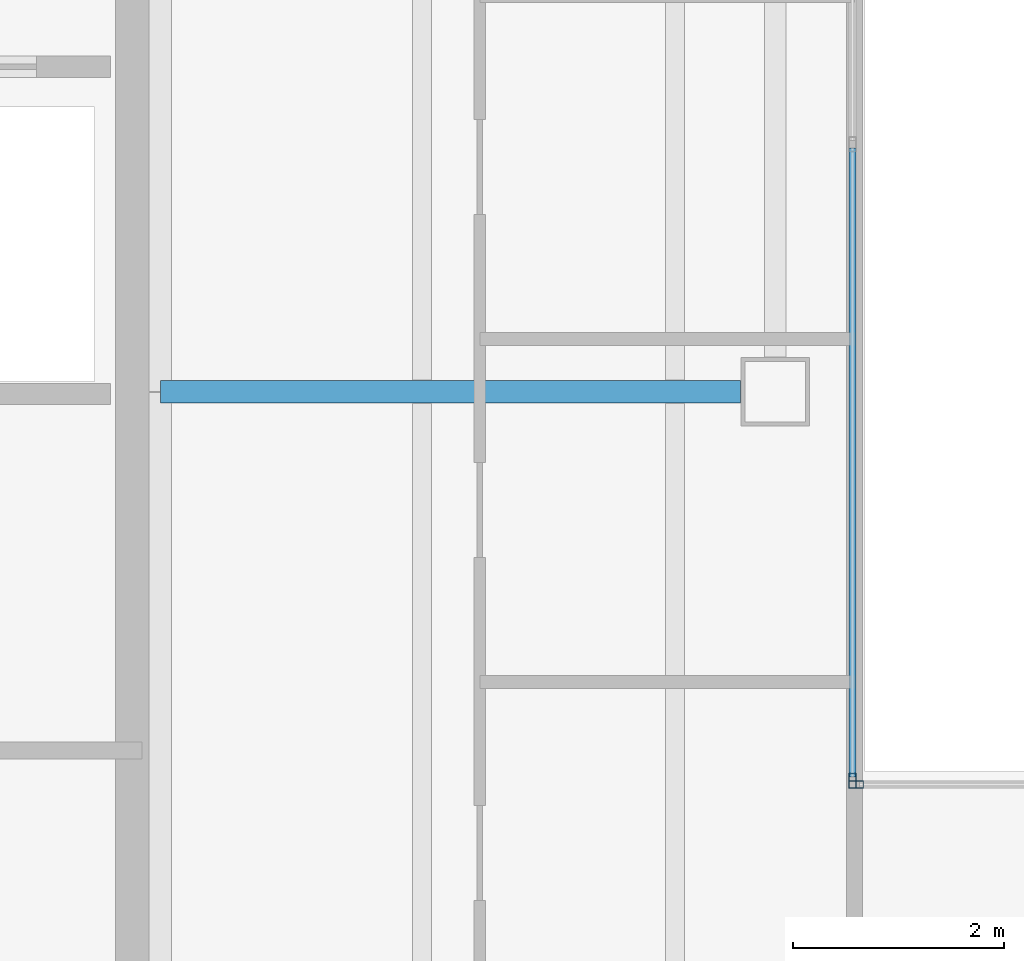
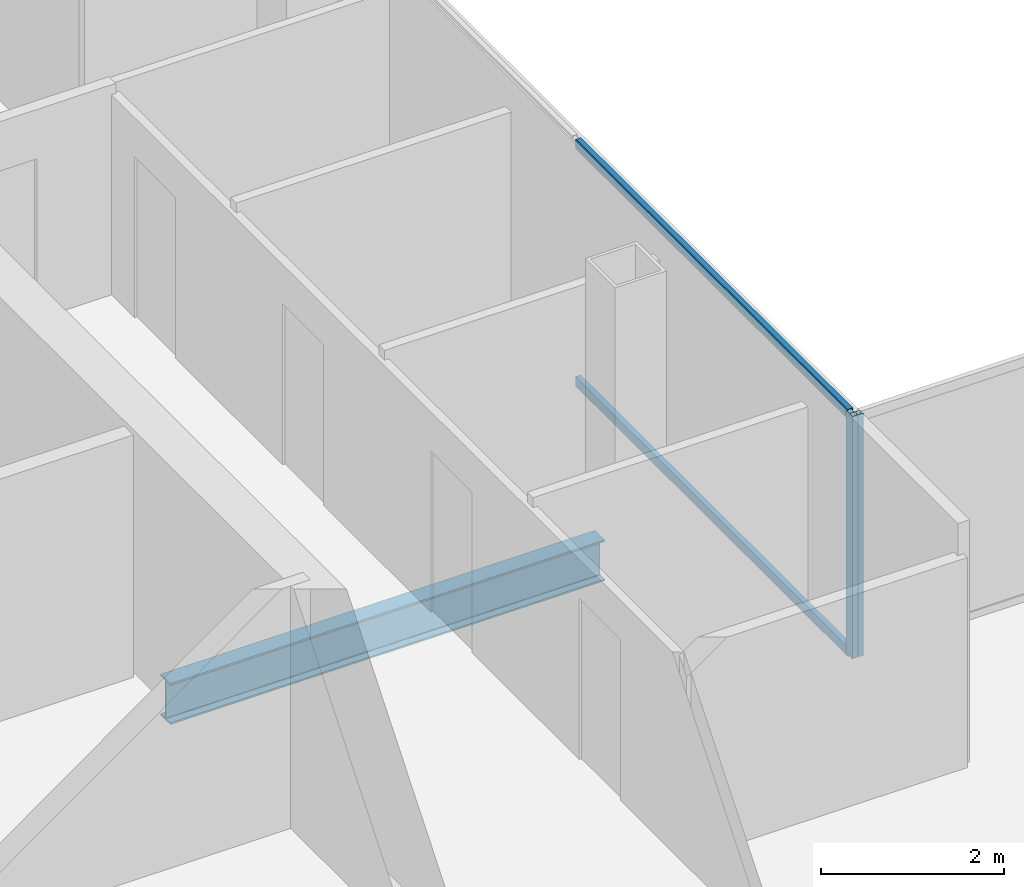
# One storey, part 8 of 23: 4 members, 1 beam, 2 elements without a shape of their own.
"""IFC4 building model written with IfcOpenShell, lengths in metres."""

from ifc_helpers import new_model, si_unit, direction, frame, origin, origin_2d, place, context, subcontext, project, spatial, hollow_rectangle, i_section, extrude, material, material_profile, profile_set, type_object, element, aggregate, save


model = new_model("IFC4")

# Units and contexts
model_context = context("Model", 3, precision=1e-05, world=origin(), true_north=direction((0.0, 1.0)))
body_context = subcontext(model_context, "Body", "Model", "MODEL_VIEW")
ifc_project = project(units=[si_unit("LENGTHUNIT", "METRE"), si_unit("AREAUNIT", "SQUARE_METRE"), si_unit("VOLUMEUNIT", "CUBIC_METRE"), si_unit("PLANEANGLEUNIT", "RADIAN"), si_unit("MASSUNIT", "GRAM", prefix="KILO")], contexts=[model_context])

# Site, building, storey
site_placement = place(None, origin())
site = spatial("IfcSite", under=ifc_project, at=site_placement, CompositionType="ELEMENT")
building_placement = place(site_placement, origin())
building = spatial("IfcBuilding", under=site, at=building_placement, Name="Cobrela Telecom Tower", CompositionType="ELEMENT")
storey_placement = place(building_placement, frame((0.0, 0.0, 279.64990234375)))
storey = spatial("IfcBuildingStorey", under=building, at=storey_placement, Name="L73", CompositionType="ELEMENT", Elevation=279.64990234375)

# Beam
ifc_material_1 = material(Name="Steel ASTM A992 Grade 50", Category="steel")
ifc_material_profile_1 = material_profile(ifc_material_1, i_section(OverallWidth=0.212890625, OverallDepth=0.549072265625, WebThickness=0.0146484375, FlangeThickness=0.023681640625, FilletRadius=0.013916015625, at=origin_2d()), Name="W21X93")
ifc_profile_set_1 = profile_set([ifc_material_profile_1], Name="Steel ASTM A992 Grade 50")
beam_type = type_object("IfcBeamType", Name="BM-GIRD-08", PredefinedType="USERDEFINED", material=ifc_profile_set_1)
beam_placement = place(storey_placement, frame((14.324951171875, 28.800048828125, -0.534423828125), z_axis=(1.0, 0.0, 0.0), x_axis=(0.0, 1.0, 0.0)))
element("IfcBeam", 1, at=beam_placement, inside=storey, type_object=beam_type, Name="L73 Primary Girder X15", ObjectType="GIRDER", PredefinedType="USERDEFINED", context=body_context, shape_type="SweptSolid", body=[
    extrude(i_section(OverallWidth=0.212890625, OverallDepth=0.549072265625, WebThickness=0.0146484375, FlangeThickness=0.023681640625, FilletRadius=0.013916015625, at=origin_2d()), origin(), (0.0, 0.0, 1.0), 5.4951171875),
])

# Curtain wall, member
ifc_material_2 = material(Name="Anodized Bronze Aluminium 6063-T6", Category="aluminium")
curtain_wall_type = type_object("IfcCurtainWallType", Name="CW-SYS-OFF-HI", PredefinedType="USERDEFINED", material=ifc_material_2)
curtain_wall_1_placement = place(storey_placement, origin())
curtain_wall_1 = element("IfcCurtainWall", 2, at=curtain_wall_1_placement, inside=storey, type_object=curtain_wall_type, Name="L73 Unitised Bronze Curtain Wall 08", ObjectType="UNITISED CURTAIN WALL", PredefinedType="USERDEFINED")
ifc_material_profile_2 = material_profile(ifc_material_2, hollow_rectangle(XDim=0.070068359375, YDim=0.139892578125, WallThickness=0.00390625, at=origin_2d()), Name="ALU 70x140x4")
ifc_profile_set_2 = profile_set([ifc_material_profile_2], Name="Anodized Bronze Aluminium 6063-T6")
member_type_1 = type_object("IfcMemberType", Name="CW-SYS-OFF-HI-MUL", PredefinedType="MULLION", material=ifc_profile_set_2)
member_1_placement = place(storey_placement, frame((20.8798828125, 25.114990234375, 0.0), z_axis=(0.0, 0.0, 1.0), x_axis=(1.0, 0.0, 0.0)))
member_1 = element("IfcMember", 3, at=member_1_placement, type_object=member_type_1, Name="CW-OFF-HI mullion 3", PredefinedType="MULLION", context=body_context, shape_type="SweptSolid", body=[
    extrude(hollow_rectangle(XDim=0.070068359375, YDim=0.139892578125, WallThickness=0.00390625, at=origin_2d()), origin(), (0.0, 0.0, 1.0), 3.239990234375),
])

curtain_wall_2_placement = place(storey_placement, origin())
curtain_wall_2 = element("IfcCurtainWall", 4, at=curtain_wall_2_placement, inside=storey, type_object=curtain_wall_type, Name="L73 Unitised Bronze Curtain Wall 09", ObjectType="UNITISED CURTAIN WALL", PredefinedType="USERDEFINED")
member_2_placement = place(storey_placement, frame((20.9150390625, 25.080078125, 0.0), z_axis=(0.0, 0.0, 1.0), x_axis=(0.0, 1.0, 0.0)))
member_2 = element("IfcMember", 5, at=member_2_placement, type_object=member_type_1, Name="CW-OFF-HI mullion 1", PredefinedType="MULLION", context=body_context, shape_type="SweptSolid", body=[
    extrude(hollow_rectangle(XDim=0.070068359375, YDim=0.139892578125, WallThickness=0.00390625, at=origin_2d()), origin(), (0.0, 0.0, 1.0), 3.239990234375),
])
aggregate(curtain_wall_2, [member_2])

# Member
ifc_material_profile_3 = material_profile(ifc_material_2, hollow_rectangle(XDim=0.06494140625, YDim=0.1298828125, WallThickness=0.00390625, at=origin_2d()), Name="ALU 65x130x4")
ifc_profile_set_3 = profile_set([ifc_material_profile_3], Name="Anodized Bronze Aluminium 6063-T6")
member_type_2 = type_object("IfcMemberType", Name="CW-SYS-OFF-HI-TRN", PredefinedType="USERDEFINED", material=ifc_profile_set_3)
member_3_placement = place(storey_placement, frame((20.8798828125, 31.110107421875, 0.03271484375), z_axis=(0.0, -1.0, 0.0), x_axis=(1.0, 0.0, 0.0)))
member_3 = element("IfcMember", 6, at=member_3_placement, type_object=member_type_2, Name="CW-OFF-HI transom 2.1", ObjectType="TRANSOM", PredefinedType="USERDEFINED", context=body_context, shape_type="SweptSolid", body=[
    extrude(hollow_rectangle(XDim=0.06494140625, YDim=0.1298828125, WallThickness=0.00390625, at=origin_2d()), origin(), (0.0, 0.0, 1.0), 5.960205078125),
])

member_4_placement = place(storey_placement, frame((20.8798828125, 31.110107421875, 3.20751953125), z_axis=(0.0, -1.0, 0.0), x_axis=(1.0, 0.0, 0.0)))
member_4 = element("IfcMember", 7, at=member_4_placement, type_object=member_type_2, Name="CW-OFF-HI transom 2.2", ObjectType="TRANSOM", PredefinedType="USERDEFINED", context=body_context, shape_type="SweptSolid", body=[
    extrude(hollow_rectangle(XDim=0.06494140625, YDim=0.1298828125, WallThickness=0.00390625, at=origin_2d()), origin(), (0.0, 0.0, 1.0), 5.960205078125),
])

aggregate(curtain_wall_1, [member_1, member_3, member_4])

save(model, "model.ifc")
